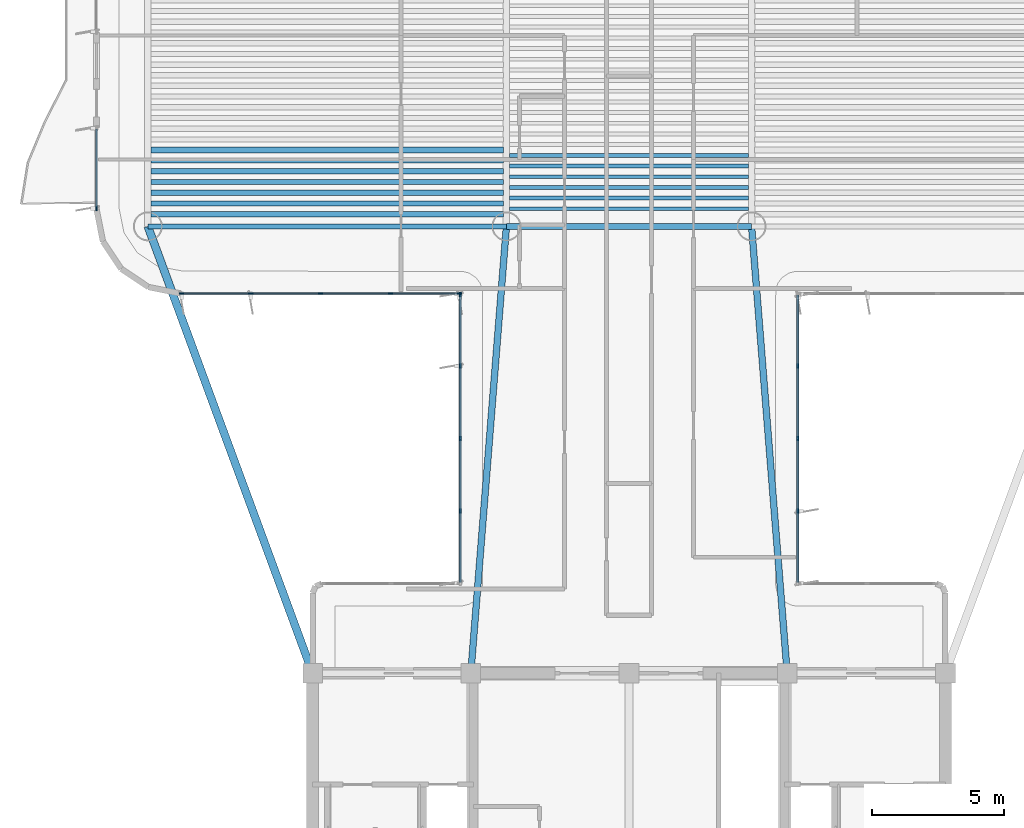
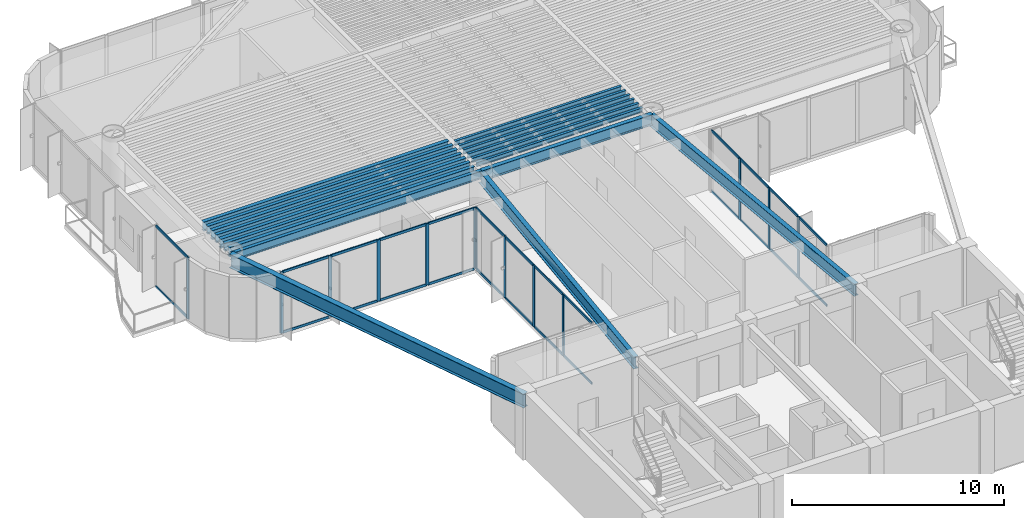
# One storey, part 3 of 14: 39 members, 18 beams, 4 elements without a shape of their own.
"""IFC4 building model written with IfcOpenShell, lengths in metres."""

from ifc_helpers import new_model, si_unit, direction, frame, origin, origin_2d, place, context, subcontext, project, spatial, rectangle, i_section, extrude, source, transform, mapped, material, layer, layer_set, material_profile, profile_set, type_object, element, aggregate, save


model = new_model("IFC4")

# Units and contexts
model_context = context("Model", 3, precision=1e-05, world=origin(), true_north=direction((0.0, 1.0)))
body_context = subcontext(model_context, "Body", "Model", "MODEL_VIEW")
ifc_project = project(units=[si_unit("LENGTHUNIT", "METRE"), si_unit("AREAUNIT", "SQUARE_METRE"), si_unit("VOLUMEUNIT", "CUBIC_METRE"), si_unit("PLANEANGLEUNIT", "RADIAN"), si_unit("MASSUNIT", "GRAM", prefix="KILO")], contexts=[model_context])

# Site, building, storey
site_placement = place(None, origin())
site = spatial("IfcSite", under=ifc_project, at=site_placement, CompositionType="ELEMENT")
building_placement = place(site_placement, origin())
building = spatial("IfcBuilding", under=site, at=building_placement, Name="Brelvock Crest Care Tower", CompositionType="ELEMENT")
storey_placement = place(building_placement, frame((0.0, 0.0, 194.219970703125)))
storey = spatial("IfcBuildingStorey", under=building, at=storey_placement, Name="L49", CompositionType="ELEMENT", Elevation=194.219970703125)

# Beams
ifc_material_1 = material(Name="Steel Grade 350", Category="steel")
ifc_material_profile_1 = material_profile(ifc_material_1, i_section(OverallWidth=0.22900390625, OverallDepth=0.612060546875, WebThickness=0.011962890625, FlangeThickness=0.01953125, FilletRadius=0.013916015625, at=origin_2d()), Name="610UB125")
ifc_profile_set_1 = profile_set([ifc_material_profile_1], Name="Steel Grade 350")
beam_type_1 = type_object("IfcBeamType", Name="BM-G1", PredefinedType="BEAM", material=ifc_profile_set_1)
shared_shape_1 = source(origin(), body_context, "Body", "SweptSolid", [
    extrude(i_section(OverallWidth=0.22900390625, OverallDepth=0.612060546875, WebThickness=0.011962890625, FlangeThickness=0.01953125, FilletRadius=0.013916015625, at=origin_2d()), origin(), (0.0, 0.0, 1.0), 9.2998046875),
])
beam_1_placement = place(storey_placement, frame((31.35009765625, 34.949951171875, 3.22412109375), z_axis=(1.0, 0.0, 0.0), x_axis=(0.0, 1.0, 0.0)))
element("IfcBeam", 1, at=beam_1_placement, inside=storey, type_object=beam_type_1, Name="BM-TWR-L49-05", PredefinedType="BEAM", context=body_context, shape_type="MappedRepresentation", body=[
    mapped(shared_shape_1, transform((0.0, 0.0, 0.0), x_axis=(1.0, 0.0, 0.0), y_axis=(0.0, 1.0, 0.0), z_axis=(0.0, 0.0, 1.0), scale=1.0)),
])
ifc_material_profile_2 = material_profile(ifc_material_1, i_section(OverallWidth=0.14599609375, OverallDepth=0.256103515625, WebThickness=0.00634765625, FlangeThickness=0.010986328125, FilletRadius=0.0087890625, at=origin_2d()), Name="250UB37.3")
ifc_profile_set_2 = profile_set([ifc_material_profile_2], Name="Steel Grade 350")
beam_type_2 = type_object("IfcBeamType", Name="BM-J3", PredefinedType="JOIST", material=ifc_profile_set_2)
shared_shape_2 = source(origin(), body_context, "Body", "SweptSolid", [
    extrude(i_section(OverallWidth=0.14599609375, OverallDepth=0.256103515625, WebThickness=0.00634765625, FlangeThickness=0.010986328125, FilletRadius=0.0087890625, at=origin_2d()), origin(), (0.0, 0.0, 1.0), 9.06982421875),
])
for number, where, z_axis, x_axis, name in (
    (2, (31.465087890625, 35.618896484375, 3.402099609375), (1.0, 0.0, 0.0), (0.0, 1.0, 0.0), "BM-JH-L49-1"),
    (3, (31.465087890625, 36.02392578125, 3.402099609375), (1.0, 0.0, 0.0), (0.0, 1.0, 0.0), "BM-JH-L49-2"),
    (4, (31.465087890625, 36.42919921875, 3.402099609375), (1.0, 0.0, 0.0), (0.0, 1.0, 0.0), "BM-JH-L49-3"),
    (5, (31.465087890625, 36.834228515625, 3.402099609375), (1.0, 0.0, 0.0), (0.0, 1.0, 0.0), "BM-JH-L49-4"),
    (6, (31.465087890625, 37.239501953125, 3.402099609375), (1.0, 0.0, 0.0), (0.0, 1.0, 0.0), "BM-JH-L49-5"),
    (7, (31.465087890625, 37.64453125, 3.402099609375), (1.0, 0.0, 0.0), (0.0, 1.0, 0.0), "BM-JH-L49-6"),
):
    element("IfcBeam", number, at=place(storey_placement, frame(where, z_axis=z_axis, x_axis=x_axis)), inside=storey, type_object=beam_type_2, Name=name, PredefinedType="JOIST", context=body_context, shape_type="MappedRepresentation", body=[
        mapped(shared_shape_2, transform((0.0, 0.0, 0.0), x_axis=(1.0, 0.0, 0.0), y_axis=(0.0, 1.0, 0.0), z_axis=(0.0, 0.0, 1.0), scale=1.0)),
    ])
ifc_material_profile_3 = material_profile(ifc_material_1, i_section(OverallWidth=0.208984375, OverallDepth=0.532958984375, WebThickness=0.01025390625, FlangeThickness=0.015625, FilletRadius=0.013916015625, at=origin_2d()), Name="530UB92.4")
ifc_profile_set_3 = profile_set([ifc_material_profile_3], Name="Steel Grade 350")
beam_type_3 = type_object("IfcBeamType", Name="BM-G2", PredefinedType="BEAM", material=ifc_profile_set_3)
shared_shape_3 = source(origin(), body_context, "Body", "SweptSolid", [
    extrude(i_section(OverallWidth=0.208984375, OverallDepth=0.532958984375, WebThickness=0.01025390625, FlangeThickness=0.015625, FilletRadius=0.013916015625, at=origin_2d()), origin(), (0.0, 0.0, 1.0), 13.3701171875),
])
for number, where, z_axis, x_axis, name in (
    (8, (17.864990234375, 35.416259765625, 3.263427734375), (1.0, 0.0, 0.0), (0.0, 1.0, 0.0), "BM-JW-L49-1"),
    (9, (17.864990234375, 36.2265625, 3.263427734375), (1.0, 0.0, 0.0), (0.0, 1.0, 0.0), "BM-JW-L49-3"),
    (10, (17.864990234375, 37.036865234375, 3.263427734375), (1.0, 0.0, 0.0), (0.0, 1.0, 0.0), "BM-JW-L49-5"),
    (11, (17.864990234375, 37.84716796875, 3.263427734375), (1.0, 0.0, 0.0), (0.0, 1.0, 0.0), "BM-JW-L49-7"),
):
    element("IfcBeam", number, at=place(storey_placement, frame(where, z_axis=z_axis, x_axis=x_axis)), inside=storey, type_object=beam_type_3, Name=name, PredefinedType="BEAM", context=body_context, shape_type="MappedRepresentation", body=[
        mapped(shared_shape_3, transform((0.0, 0.0, 0.0), x_axis=(1.0, 0.0, 0.0), y_axis=(0.0, 1.0, 0.0), z_axis=(0.0, 0.0, 1.0), scale=1.0)),
    ])
ifc_material_profile_4 = material_profile(ifc_material_1, i_section(OverallWidth=0.19091796875, OverallDepth=0.4599609375, WebThickness=0.010009765625, FlangeThickness=0.01611328125, FilletRadius=0.011474609375, at=origin_2d()), Name="460UB82.1")
ifc_profile_set_4 = profile_set([ifc_material_profile_4], Name="Steel Grade 350")
beam_type_4 = type_object("IfcBeamType", Name="BM-G3", PredefinedType="BEAM", material=ifc_profile_set_4)
shared_shape_4 = source(origin(), body_context, "Body", "SweptSolid", [
    extrude(i_section(OverallWidth=0.19091796875, OverallDepth=0.4599609375, WebThickness=0.010009765625, FlangeThickness=0.01611328125, FilletRadius=0.011474609375, at=origin_2d()), origin(), (0.0, 0.0, 1.0), 13.3701171875),
])
for number, where, z_axis, x_axis, name in (
    (12, (17.864990234375, 35.8212890625, 3.300048828125), (1.0, 0.0, 0.0), (0.0, 1.0, 0.0), "BM-JW-L49-2"),
    (13, (17.864990234375, 36.631591796875, 3.300048828125), (1.0, 0.0, 0.0), (0.0, 1.0, 0.0), "BM-JW-L49-4"),
    (14, (17.864990234375, 37.44189453125, 3.300048828125), (1.0, 0.0, 0.0), (0.0, 1.0, 0.0), "BM-JW-L49-6"),
):
    element("IfcBeam", number, at=place(storey_placement, frame(where, z_axis=z_axis, x_axis=x_axis)), inside=storey, type_object=beam_type_4, Name=name, PredefinedType="BEAM", context=body_context, shape_type="MappedRepresentation", body=[
        mapped(shared_shape_4, transform((0.0, 0.0, 0.0), x_axis=(1.0, 0.0, 0.0), y_axis=(0.0, 1.0, 0.0), z_axis=(0.0, 0.0, 1.0), scale=1.0)),
    ])
ifc_material_profile_5 = material_profile(ifc_material_1, i_section(OverallWidth=0.19091796875, OverallDepth=0.4599609375, WebThickness=0.010009765625, FlangeThickness=0.01611328125, FilletRadius=0.011474609375, at=origin_2d()), Name="460UB82.1")
ifc_profile_set_5 = profile_set([ifc_material_profile_5], Name="Steel Grade 350")
beam_type_5 = type_object("IfcBeamType", Name="BM-SP2", PredefinedType="SPANDREL", material=ifc_profile_set_5)
shared_shape_5 = source(origin(), body_context, "Body", "SweptSolid", [
    extrude(i_section(OverallWidth=0.19091796875, OverallDepth=0.4599609375, WebThickness=0.010009765625, FlangeThickness=0.01611328125, FilletRadius=0.011474609375, at=origin_2d()), origin(), (0.0, 0.0, 1.0), 13.60009765625),
])
beam_2_placement = place(storey_placement, frame((17.75, 34.949951171875, 3.300048828125), z_axis=(1.0, 0.0, 0.0), x_axis=(0.0, 1.0, 0.0)))
element("IfcBeam", 15, at=beam_2_placement, inside=storey, type_object=beam_type_5, Name="BM-TWR-L49-03", PredefinedType="SPANDREL", context=body_context, shape_type="MappedRepresentation", body=[
    mapped(shared_shape_5, transform((0.0, 0.0, 0.0), x_axis=(1.0, 0.0, 0.0), y_axis=(0.0, 1.0, 0.0), z_axis=(0.0, 0.0, 1.0), scale=1.0)),
])
ifc_material_profile_6 = material_profile(ifc_material_1, i_section(OverallWidth=0.25, OverallDepth=0.699951171875, WebThickness=0.011962890625, FlangeThickness=0.02001953125, at=origin_2d()), Name="700WB150")
ifc_profile_set_6 = profile_set([ifc_material_profile_6], Name="Steel Grade 350")
beam_type_6 = type_object("IfcBeamType", Name="BM-G4", PredefinedType="BEAM", material=ifc_profile_set_6)
shared_shape_6 = source(origin(), body_context, "Body", "SweptSolid", [
    extrude(i_section(OverallWidth=0.25, OverallDepth=0.699951171875, WebThickness=0.011962890625, FlangeThickness=0.02001953125, at=origin_2d()), origin(), (0.0, 0.0, 1.0), 17.003662109375),
])
for number, where, z_axis, x_axis, name in (
    (16, (30.0, 18.0, 3.179931640625), (0.079400530776, 0.996842793881, 0.0), (-0.996842793881, 0.079400530776, 0.0), "BM-THRW-L49"),
    (17, (42.0, 18.0, 3.179931640625), (-0.079400530776, 0.996842793881, 0.0), (-0.996842793881, -0.079400530776, 0.0), "BM-THRE-L49"),
):
    element("IfcBeam", number, at=place(storey_placement, frame(where, z_axis=z_axis, x_axis=x_axis)), inside=storey, type_object=beam_type_6, Name=name, PredefinedType="BEAM", context=body_context, shape_type="MappedRepresentation", body=[
        mapped(shared_shape_6, transform((0.0, 0.0, 0.0), x_axis=(1.0, 0.0, 0.0), y_axis=(0.0, 1.0, 0.0), z_axis=(0.0, 0.0, 1.0), scale=1.0)),
    ])
ifc_material_profile_7 = material_profile(ifc_material_1, i_section(OverallWidth=0.300048828125, OverallDepth=0.800048828125, WebThickness=0.013916015625, FlangeThickness=0.02197265625, at=origin_2d()), Name="800WB192")
ifc_profile_set_7 = profile_set([ifc_material_profile_7], Name="Steel Grade 350")
beam_type_7 = type_object("IfcBeamType", Name="BM-G5", PredefinedType="BEAM", material=ifc_profile_set_7)
shared_shape_7 = source(origin(), body_context, "Body", "SweptSolid", [
    extrude(i_section(OverallWidth=0.300048828125, OverallDepth=0.800048828125, WebThickness=0.013916015625, FlangeThickness=0.02197265625, at=origin_2d()), origin(), (0.0, 0.0, 1.0), 18.0654296875),
])
beam_3_placement = place(storey_placement, frame((24.0, 18.0, 3.130126953125), z_axis=(-0.345962741309, 0.938248251597, 0.0), x_axis=(-0.938248251597, -0.345962741309, 0.0)))
element("IfcBeam", 18, at=beam_3_placement, inside=storey, type_object=beam_type_7, Name="BM-THRO-W-L49", PredefinedType="BEAM", context=body_context, shape_type="MappedRepresentation", body=[
    mapped(shared_shape_7, transform((0.0, 0.0, 0.0), x_axis=(1.0, 0.0, 0.0), y_axis=(0.0, 1.0, 0.0), z_axis=(0.0, 0.0, 1.0), scale=1.0)),
])

# Curtain wall, members
ifc_material_2 = material(Name="Dark Glass Double Glazed Low-E", Category="glass")
ifc_layer = layer(ifc_material_2, 0.22509765625, Name="CWS-4")
ifc_layer_set = layer_set([ifc_layer], Name="Dark Glass Double Glazed Low-E")
curtain_wall_type = type_object("IfcCurtainWallType", Name="CWS-4", PredefinedType="NOTDEFINED", material=ifc_layer_set)
curtain_wall_1_placement = place(storey_placement, origin())
curtain_wall_1 = element("IfcCurtainWall", 19, at=curtain_wall_1_placement, inside=storey, type_object=curtain_wall_type, Name="L49 Curtain Wall E11", PredefinedType="NOTDEFINED")
ifc_material_3 = material(Name="Aluminium 6063-T6", Category="aluminium")
ifc_material_profile_8 = material_profile(ifc_material_3, rectangle(XDim=0.06005859375, YDim=0.179931640625, at=origin_2d()), Name="ALU60x180")
ifc_profile_set_8 = profile_set([ifc_material_profile_8], Name="Aluminium 6063-T6")
member_type_1 = type_object("IfcMemberType", Name="CWM-2", PredefinedType="MULLION", material=ifc_profile_set_8)
shared_shape_8 = source(origin(), body_context, "Body", "SweptSolid", [
    extrude(rectangle(XDim=0.06005859375, YDim=0.179931640625, at=origin_2d()), origin(), (0.0, 0.0, 1.0), 3.530029296875),
])
member_1_placement = place(storey_placement, frame((29.60009765625, 24.14990234375, 0.0), z_axis=(0.0, 0.0, 1.0), x_axis=(-1.0, 0.0, 0.0)))
member_1 = element("IfcMember", 20, at=member_1_placement, type_object=member_type_1, Name="CW-4 mullion 2", PredefinedType="MULLION", context=body_context, shape_type="MappedRepresentation", body=[
    mapped(shared_shape_8, transform((0.0, 0.0, 0.0), x_axis=(1.0, 0.0, 0.0), y_axis=(0.0, 1.0, 0.0), z_axis=(0.0, 0.0, 1.0), scale=1.0)),
])
member_2_placement = place(storey_placement, frame((29.60009765625, 26.89990234375, 0.0), z_axis=(0.0, 0.0, 1.0), x_axis=(-1.0, 0.0, 0.0)))
member_2 = element("IfcMember", 21, at=member_2_placement, type_object=member_type_1, Name="CW-4 mullion 3", PredefinedType="MULLION", context=body_context, shape_type="MappedRepresentation", body=[
    mapped(shared_shape_8, transform((0.0, 0.0, 0.0), x_axis=(1.0, 0.0, 0.0), y_axis=(0.0, 1.0, 0.0), z_axis=(0.0, 0.0, 1.0), scale=1.0)),
])
member_3_placement = place(storey_placement, frame((29.60009765625, 29.64990234375, 0.0), z_axis=(0.0, 0.0, 1.0), x_axis=(-1.0, 0.0, 0.0)))
member_3 = element("IfcMember", 22, at=member_3_placement, type_object=member_type_1, Name="CW-4 mullion 4", PredefinedType="MULLION", context=body_context, shape_type="MappedRepresentation", body=[
    mapped(shared_shape_8, transform((0.0, 0.0, 0.0), x_axis=(1.0, 0.0, 0.0), y_axis=(0.0, 1.0, 0.0), z_axis=(0.0, 0.0, 1.0), scale=1.0)),
])
member_4_placement = place(storey_placement, frame((29.60009765625, 32.3701171875, 0.0), z_axis=(0.0, 0.0, 1.0), x_axis=(-1.0, 0.0, 0.0)))
member_4 = element("IfcMember", 23, at=member_4_placement, type_object=member_type_1, Name="CW-4 mullion 5", PredefinedType="MULLION", context=body_context, shape_type="MappedRepresentation", body=[
    mapped(shared_shape_8, transform((0.0, 0.0, 0.0), x_axis=(1.0, 0.0, 0.0), y_axis=(0.0, 1.0, 0.0), z_axis=(0.0, 0.0, 1.0), scale=1.0)),
])

curtain_wall_2_placement = place(storey_placement, origin())
curtain_wall_2 = element("IfcCurtainWall", 24, at=curtain_wall_2_placement, inside=storey, type_object=curtain_wall_type, Name="L49 Curtain Wall E12", PredefinedType="NOTDEFINED")
member_5_placement = place(storey_placement, frame((29.570068359375, 32.39990234375, 0.0), z_axis=(0.0, 0.0, 1.0), x_axis=(0.0, -1.0, 0.0)))
member_5 = element("IfcMember", 25, at=member_5_placement, type_object=member_type_1, Name="CW-4 mullion 1", PredefinedType="MULLION", context=body_context, shape_type="MappedRepresentation", body=[
    mapped(shared_shape_8, transform((0.0, 0.0, 0.0), x_axis=(1.0, 0.0, 0.0), y_axis=(0.0, 1.0, 0.0), z_axis=(0.0, 0.0, 1.0), scale=1.0)),
])
member_6_placement = place(storey_placement, frame((26.949951171875, 32.39990234375, 0.0), z_axis=(0.0, 0.0, 1.0), x_axis=(0.0, -1.0, 0.0)))
member_6 = element("IfcMember", 26, at=member_6_placement, type_object=member_type_1, Name="CW-4 mullion 2", PredefinedType="MULLION", context=body_context, shape_type="MappedRepresentation", body=[
    mapped(shared_shape_8, transform((0.0, 0.0, 0.0), x_axis=(1.0, 0.0, 0.0), y_axis=(0.0, 1.0, 0.0), z_axis=(0.0, 0.0, 1.0), scale=1.0)),
])
member_7_placement = place(storey_placement, frame((24.300048828125, 32.39990234375, 0.0), z_axis=(0.0, 0.0, 1.0), x_axis=(0.0, -1.0, 0.0)))
member_7 = element("IfcMember", 27, at=member_7_placement, type_object=member_type_1, Name="CW-4 mullion 3", PredefinedType="MULLION", context=body_context, shape_type="MappedRepresentation", body=[
    mapped(shared_shape_8, transform((0.0, 0.0, 0.0), x_axis=(1.0, 0.0, 0.0), y_axis=(0.0, 1.0, 0.0), z_axis=(0.0, 0.0, 1.0), scale=1.0)),
])
member_8_placement = place(storey_placement, frame((21.64990234375, 32.39990234375, 0.0), z_axis=(0.0, 0.0, 1.0), x_axis=(0.0, -1.0, 0.0)))
member_8 = element("IfcMember", 28, at=member_8_placement, type_object=member_type_1, Name="CW-4 mullion 4", PredefinedType="MULLION", context=body_context, shape_type="MappedRepresentation", body=[
    mapped(shared_shape_8, transform((0.0, 0.0, 0.0), x_axis=(1.0, 0.0, 0.0), y_axis=(0.0, 1.0, 0.0), z_axis=(0.0, 0.0, 1.0), scale=1.0)),
])
member_9_placement = place(storey_placement, frame((19.030029296875, 32.39990234375, 0.0), z_axis=(0.0, 0.0, 1.0), x_axis=(0.0, -1.0, 0.0)))
member_9 = element("IfcMember", 29, at=member_9_placement, type_object=member_type_1, Name="CW-4 mullion 5", PredefinedType="MULLION", context=body_context, shape_type="MappedRepresentation", body=[
    mapped(shared_shape_8, transform((0.0, 0.0, 0.0), x_axis=(1.0, 0.0, 0.0), y_axis=(0.0, 1.0, 0.0), z_axis=(0.0, 0.0, 1.0), scale=1.0)),
])

# Curtain wall, member
curtain_wall_3_placement = place(storey_placement, origin())
curtain_wall_3 = element("IfcCurtainWall", 30, at=curtain_wall_3_placement, inside=storey, type_object=curtain_wall_type, Name="L49 Curtain Wall E17A", PredefinedType="NOTDEFINED")
member_10_placement = place(storey_placement, frame((15.800048828125, 35.6298828125, 0.0), z_axis=(0.0, 0.0, 1.0), x_axis=(-1.0, 0.0, 0.0)))
member_10 = element("IfcMember", 31, at=member_10_placement, type_object=member_type_1, Name="CW-4 mullion 1", PredefinedType="MULLION", context=body_context, shape_type="MappedRepresentation", body=[
    mapped(shared_shape_8, transform((0.0, 0.0, 0.0), x_axis=(1.0, 0.0, 0.0), y_axis=(0.0, 1.0, 0.0), z_axis=(0.0, 0.0, 1.0), scale=1.0)),
])

# Curtain wall, members
curtain_wall_4_placement = place(storey_placement, origin())
curtain_wall_4 = element("IfcCurtainWall", 32, at=curtain_wall_4_placement, inside=storey, type_object=curtain_wall_type, Name="L49 Curtain Wall E45", PredefinedType="NOTDEFINED")
member_11_placement = place(storey_placement, frame((42.39990234375, 29.64990234375, 0.0), z_axis=(0.0, 0.0, 1.0), x_axis=(1.0, 0.0, 0.0)))
member_11 = element("IfcMember", 33, at=member_11_placement, type_object=member_type_1, Name="CW-4 mullion 2", PredefinedType="MULLION", context=body_context, shape_type="MappedRepresentation", body=[
    mapped(shared_shape_8, transform((0.0, 0.0, 0.0), x_axis=(1.0, 0.0, 0.0), y_axis=(0.0, 1.0, 0.0), z_axis=(0.0, 0.0, 1.0), scale=1.0)),
])
member_12_placement = place(storey_placement, frame((42.39990234375, 26.89990234375, 0.0), z_axis=(0.0, 0.0, 1.0), x_axis=(1.0, 0.0, 0.0)))
member_12 = element("IfcMember", 34, at=member_12_placement, type_object=member_type_1, Name="CW-4 mullion 3", PredefinedType="MULLION", context=body_context, shape_type="MappedRepresentation", body=[
    mapped(shared_shape_8, transform((0.0, 0.0, 0.0), x_axis=(1.0, 0.0, 0.0), y_axis=(0.0, 1.0, 0.0), z_axis=(0.0, 0.0, 1.0), scale=1.0)),
])
member_13_placement = place(storey_placement, frame((42.39990234375, 24.14990234375, 0.0), z_axis=(0.0, 0.0, 1.0), x_axis=(1.0, 0.0, 0.0)))
member_13 = element("IfcMember", 35, at=member_13_placement, type_object=member_type_1, Name="CW-4 mullion 4", PredefinedType="MULLION", context=body_context, shape_type="MappedRepresentation", body=[
    mapped(shared_shape_8, transform((0.0, 0.0, 0.0), x_axis=(1.0, 0.0, 0.0), y_axis=(0.0, 1.0, 0.0), z_axis=(0.0, 0.0, 1.0), scale=1.0)),
])

# Member
ifc_material_profile_9 = material_profile(ifc_material_3, rectangle(XDim=0.06005859375, YDim=0.139892578125, at=origin_2d()), Name="ALU60x140")
ifc_profile_set_9 = profile_set([ifc_material_profile_9], Name="Aluminium 6063-T6")
member_type_2 = type_object("IfcMemberType", Name="CWT-2", PredefinedType="USERDEFINED", material=ifc_profile_set_9)
shared_shape_9 = source(origin(), body_context, "Body", "SweptSolid", [
    extrude(rectangle(XDim=0.06005859375, YDim=0.139892578125, at=origin_2d()), origin(), (0.0, 0.0, 1.0), 2.66015625),
])
member_14_placement = place(storey_placement, frame((29.60009765625, 21.4599609375, 0.030029296875), z_axis=(0.0, 1.0, 0.0), x_axis=(-1.0, 0.0, 0.0)))
member_14 = element("IfcMember", 36, at=member_14_placement, type_object=member_type_2, Name="CW-4 transom 1.1", ObjectType="TRANSOM", PredefinedType="USERDEFINED", context=body_context, shape_type="MappedRepresentation", body=[
    mapped(shared_shape_9, transform((0.0, 0.0, 0.0), x_axis=(1.0, 0.0, 0.0), y_axis=(0.0, 1.0, 0.0), z_axis=(0.0, 0.0, 1.0), scale=1.0)),
])

member_15_placement = place(storey_placement, frame((29.60009765625, 21.4599609375, 3.5), z_axis=(0.0, 1.0, 0.0), x_axis=(-1.0, 0.0, 0.0)))
member_15 = element("IfcMember", 37, at=member_15_placement, type_object=member_type_2, Name="CW-4 transom 1.2", ObjectType="TRANSOM", PredefinedType="USERDEFINED", context=body_context, shape_type="MappedRepresentation", body=[
    mapped(shared_shape_9, transform((0.0, 0.0, 0.0), x_axis=(1.0, 0.0, 0.0), y_axis=(0.0, 1.0, 0.0), z_axis=(0.0, 0.0, 1.0), scale=1.0)),
])

member_16_placement = place(storey_placement, frame((29.60009765625, 29.679931640625, 0.030029296875), z_axis=(0.0, 1.0, 0.0), x_axis=(-1.0, 0.0, 0.0)))
member_16 = element("IfcMember", 38, at=member_16_placement, type_object=member_type_2, Name="CW-4 transom 4.1", ObjectType="TRANSOM", PredefinedType="USERDEFINED", context=body_context, shape_type="MappedRepresentation", body=[
    mapped(shared_shape_9, transform((0.0, 0.0, 0.0), x_axis=(1.0, 0.0, 0.0), y_axis=(0.0, 1.0, 0.0), z_axis=(0.0, 0.0, 1.0), scale=1.0)),
])

member_17_placement = place(storey_placement, frame((29.60009765625, 29.679931640625, 3.5), z_axis=(0.0, 1.0, 0.0), x_axis=(-1.0, 0.0, 0.0)))
member_17 = element("IfcMember", 39, at=member_17_placement, type_object=member_type_2, Name="CW-4 transom 4.2", ObjectType="TRANSOM", PredefinedType="USERDEFINED", context=body_context, shape_type="MappedRepresentation", body=[
    mapped(shared_shape_9, transform((0.0, 0.0, 0.0), x_axis=(1.0, 0.0, 0.0), y_axis=(0.0, 1.0, 0.0), z_axis=(0.0, 0.0, 1.0), scale=1.0)),
])

member_18_placement = place(storey_placement, frame((42.39990234375, 32.340087890625, 0.030029296875), z_axis=(0.0, -1.0, 0.0), x_axis=(1.0, 0.0, 0.0)))
member_18 = element("IfcMember", 40, at=member_18_placement, type_object=member_type_2, Name="CW-4 transom 1.1", ObjectType="TRANSOM", PredefinedType="USERDEFINED", context=body_context, shape_type="MappedRepresentation", body=[
    mapped(shared_shape_9, transform((0.0, 0.0, 0.0), x_axis=(1.0, 0.0, 0.0), y_axis=(0.0, 1.0, 0.0), z_axis=(0.0, 0.0, 1.0), scale=1.0)),
])

member_19_placement = place(storey_placement, frame((42.39990234375, 32.340087890625, 3.5), z_axis=(0.0, -1.0, 0.0), x_axis=(1.0, 0.0, 0.0)))
member_19 = element("IfcMember", 41, at=member_19_placement, type_object=member_type_2, Name="CW-4 transom 1.2", ObjectType="TRANSOM", PredefinedType="USERDEFINED", context=body_context, shape_type="MappedRepresentation", body=[
    mapped(shared_shape_9, transform((0.0, 0.0, 0.0), x_axis=(1.0, 0.0, 0.0), y_axis=(0.0, 1.0, 0.0), z_axis=(0.0, 0.0, 1.0), scale=1.0)),
])

member_20_placement = place(storey_placement, frame((42.39990234375, 24.1201171875, 0.030029296875), z_axis=(0.0, -1.0, 0.0), x_axis=(1.0, 0.0, 0.0)))
member_20 = element("IfcMember", 42, at=member_20_placement, type_object=member_type_2, Name="CW-4 transom 4.1", ObjectType="TRANSOM", PredefinedType="USERDEFINED", context=body_context, shape_type="MappedRepresentation", body=[
    mapped(shared_shape_9, transform((0.0, 0.0, 0.0), x_axis=(1.0, 0.0, 0.0), y_axis=(0.0, 1.0, 0.0), z_axis=(0.0, 0.0, 1.0), scale=1.0)),
])

member_21_placement = place(storey_placement, frame((42.39990234375, 24.1201171875, 3.5), z_axis=(0.0, -1.0, 0.0), x_axis=(1.0, 0.0, 0.0)))
member_21 = element("IfcMember", 43, at=member_21_placement, type_object=member_type_2, Name="CW-4 transom 4.2", ObjectType="TRANSOM", PredefinedType="USERDEFINED", context=body_context, shape_type="MappedRepresentation", body=[
    mapped(shared_shape_9, transform((0.0, 0.0, 0.0), x_axis=(1.0, 0.0, 0.0), y_axis=(0.0, 1.0, 0.0), z_axis=(0.0, 0.0, 1.0), scale=1.0)),
])

shared_shape_10 = source(origin(), body_context, "Body", "SweptSolid", [
    extrude(rectangle(XDim=0.06005859375, YDim=0.139892578125, at=origin_2d()), origin(), (0.0, 0.0, 1.0), 2.690185546875),
])
member_22_placement = place(storey_placement, frame((29.60009765625, 24.179931640625, 0.030029296875), z_axis=(0.0, 1.0, 0.0), x_axis=(-1.0, 0.0, 0.0)))
member_22 = element("IfcMember", 44, at=member_22_placement, type_object=member_type_2, Name="CW-4 transom 2.1", ObjectType="TRANSOM", PredefinedType="USERDEFINED", context=body_context, shape_type="MappedRepresentation", body=[
    mapped(shared_shape_10, transform((0.0, 0.0, 0.0), x_axis=(1.0, 0.0, 0.0), y_axis=(0.0, 1.0, 0.0), z_axis=(0.0, 0.0, 1.0), scale=1.0)),
])

member_23_placement = place(storey_placement, frame((29.60009765625, 24.179931640625, 3.5), z_axis=(0.0, 1.0, 0.0), x_axis=(-1.0, 0.0, 0.0)))
member_23 = element("IfcMember", 45, at=member_23_placement, type_object=member_type_2, Name="CW-4 transom 2.2", ObjectType="TRANSOM", PredefinedType="USERDEFINED", context=body_context, shape_type="MappedRepresentation", body=[
    mapped(shared_shape_10, transform((0.0, 0.0, 0.0), x_axis=(1.0, 0.0, 0.0), y_axis=(0.0, 1.0, 0.0), z_axis=(0.0, 0.0, 1.0), scale=1.0)),
])

member_24_placement = place(storey_placement, frame((29.60009765625, 26.929931640625, 0.030029296875), z_axis=(0.0, 1.0, 0.0), x_axis=(-1.0, 0.0, 0.0)))
member_24 = element("IfcMember", 46, at=member_24_placement, type_object=member_type_2, Name="CW-4 transom 3.1", ObjectType="TRANSOM", PredefinedType="USERDEFINED", context=body_context, shape_type="MappedRepresentation", body=[
    mapped(shared_shape_10, transform((0.0, 0.0, 0.0), x_axis=(1.0, 0.0, 0.0), y_axis=(0.0, 1.0, 0.0), z_axis=(0.0, 0.0, 1.0), scale=1.0)),
])

member_25_placement = place(storey_placement, frame((29.60009765625, 26.929931640625, 3.5), z_axis=(0.0, 1.0, 0.0), x_axis=(-1.0, 0.0, 0.0)))
member_25 = element("IfcMember", 47, at=member_25_placement, type_object=member_type_2, Name="CW-4 transom 3.2", ObjectType="TRANSOM", PredefinedType="USERDEFINED", context=body_context, shape_type="MappedRepresentation", body=[
    mapped(shared_shape_10, transform((0.0, 0.0, 0.0), x_axis=(1.0, 0.0, 0.0), y_axis=(0.0, 1.0, 0.0), z_axis=(0.0, 0.0, 1.0), scale=1.0)),
])

aggregate(curtain_wall_1, [member_1, member_2, member_3, member_4, member_14, member_15, member_22, member_23, member_24, member_25, member_16, member_17])

member_26_placement = place(storey_placement, frame((42.39990234375, 29.6201171875, 0.030029296875), z_axis=(0.0, -1.0, 0.0), x_axis=(1.0, 0.0, 0.0)))
member_26 = element("IfcMember", 48, at=member_26_placement, type_object=member_type_2, Name="CW-4 transom 2.1", ObjectType="TRANSOM", PredefinedType="USERDEFINED", context=body_context, shape_type="MappedRepresentation", body=[
    mapped(shared_shape_10, transform((0.0, 0.0, 0.0), x_axis=(1.0, 0.0, 0.0), y_axis=(0.0, 1.0, 0.0), z_axis=(0.0, 0.0, 1.0), scale=1.0)),
])

member_27_placement = place(storey_placement, frame((42.39990234375, 29.6201171875, 3.5), z_axis=(0.0, -1.0, 0.0), x_axis=(1.0, 0.0, 0.0)))
member_27 = element("IfcMember", 49, at=member_27_placement, type_object=member_type_2, Name="CW-4 transom 2.2", ObjectType="TRANSOM", PredefinedType="USERDEFINED", context=body_context, shape_type="MappedRepresentation", body=[
    mapped(shared_shape_10, transform((0.0, 0.0, 0.0), x_axis=(1.0, 0.0, 0.0), y_axis=(0.0, 1.0, 0.0), z_axis=(0.0, 0.0, 1.0), scale=1.0)),
])

member_28_placement = place(storey_placement, frame((42.39990234375, 26.8701171875, 0.030029296875), z_axis=(0.0, -1.0, 0.0), x_axis=(1.0, 0.0, 0.0)))
member_28 = element("IfcMember", 50, at=member_28_placement, type_object=member_type_2, Name="CW-4 transom 3.1", ObjectType="TRANSOM", PredefinedType="USERDEFINED", context=body_context, shape_type="MappedRepresentation", body=[
    mapped(shared_shape_10, transform((0.0, 0.0, 0.0), x_axis=(1.0, 0.0, 0.0), y_axis=(0.0, 1.0, 0.0), z_axis=(0.0, 0.0, 1.0), scale=1.0)),
])

member_29_placement = place(storey_placement, frame((42.39990234375, 26.8701171875, 3.5), z_axis=(0.0, -1.0, 0.0), x_axis=(1.0, 0.0, 0.0)))
member_29 = element("IfcMember", 51, at=member_29_placement, type_object=member_type_2, Name="CW-4 transom 3.2", ObjectType="TRANSOM", PredefinedType="USERDEFINED", context=body_context, shape_type="MappedRepresentation", body=[
    mapped(shared_shape_10, transform((0.0, 0.0, 0.0), x_axis=(1.0, 0.0, 0.0), y_axis=(0.0, 1.0, 0.0), z_axis=(0.0, 0.0, 1.0), scale=1.0)),
])

aggregate(curtain_wall_4, [member_11, member_12, member_13, member_18, member_19, member_26, member_27, member_28, member_29, member_20, member_21])

shared_shape_11 = source(origin(), body_context, "Body", "SweptSolid", [
    extrude(rectangle(XDim=0.06005859375, YDim=0.139892578125, at=origin_2d()), origin(), (0.0, 0.0, 1.0), 2.56005859375),
])
member_30_placement = place(storey_placement, frame((29.5400390625, 32.39990234375, 0.030029296875), z_axis=(-1.0, 0.0, 0.0), x_axis=(0.0, -1.0, 0.0)))
member_30 = element("IfcMember", 52, at=member_30_placement, type_object=member_type_2, Name="CW-4 transom 1.1", ObjectType="TRANSOM", PredefinedType="USERDEFINED", context=body_context, shape_type="MappedRepresentation", body=[
    mapped(shared_shape_11, transform((0.0, 0.0, 0.0), x_axis=(1.0, 0.0, 0.0), y_axis=(0.0, 1.0, 0.0), z_axis=(0.0, 0.0, 1.0), scale=1.0)),
])

member_31_placement = place(storey_placement, frame((29.5400390625, 32.39990234375, 3.5), z_axis=(-1.0, 0.0, 0.0), x_axis=(0.0, -1.0, 0.0)))
member_31 = element("IfcMember", 53, at=member_31_placement, type_object=member_type_2, Name="CW-4 transom 1.2", ObjectType="TRANSOM", PredefinedType="USERDEFINED", context=body_context, shape_type="MappedRepresentation", body=[
    mapped(shared_shape_11, transform((0.0, 0.0, 0.0), x_axis=(1.0, 0.0, 0.0), y_axis=(0.0, 1.0, 0.0), z_axis=(0.0, 0.0, 1.0), scale=1.0)),
])

member_32_placement = place(storey_placement, frame((21.6201171875, 32.39990234375, 0.030029296875), z_axis=(-1.0, 0.0, 0.0), x_axis=(0.0, -1.0, 0.0)))
member_32 = element("IfcMember", 54, at=member_32_placement, type_object=member_type_2, Name="CW-4 transom 4.1", ObjectType="TRANSOM", PredefinedType="USERDEFINED", context=body_context, shape_type="MappedRepresentation", body=[
    mapped(shared_shape_11, transform((0.0, 0.0, 0.0), x_axis=(1.0, 0.0, 0.0), y_axis=(0.0, 1.0, 0.0), z_axis=(0.0, 0.0, 1.0), scale=1.0)),
])

member_33_placement = place(storey_placement, frame((21.6201171875, 32.39990234375, 3.5), z_axis=(-1.0, 0.0, 0.0), x_axis=(0.0, -1.0, 0.0)))
member_33 = element("IfcMember", 55, at=member_33_placement, type_object=member_type_2, Name="CW-4 transom 4.2", ObjectType="TRANSOM", PredefinedType="USERDEFINED", context=body_context, shape_type="MappedRepresentation", body=[
    mapped(shared_shape_11, transform((0.0, 0.0, 0.0), x_axis=(1.0, 0.0, 0.0), y_axis=(0.0, 1.0, 0.0), z_axis=(0.0, 0.0, 1.0), scale=1.0)),
])

shared_shape_12 = source(origin(), body_context, "Body", "SweptSolid", [
    extrude(rectangle(XDim=0.06005859375, YDim=0.139892578125, at=origin_2d()), origin(), (0.0, 0.0, 1.0), 2.58984375),
])
member_34_placement = place(storey_placement, frame((26.919921875, 32.39990234375, 0.030029296875), z_axis=(-1.0, 0.0, 0.0), x_axis=(0.0, -1.0, 0.0)))
member_34 = element("IfcMember", 56, at=member_34_placement, type_object=member_type_2, Name="CW-4 transom 2.1", ObjectType="TRANSOM", PredefinedType="USERDEFINED", context=body_context, shape_type="MappedRepresentation", body=[
    mapped(shared_shape_12, transform((0.0, 0.0, 0.0), x_axis=(1.0, 0.0, 0.0), y_axis=(0.0, 1.0, 0.0), z_axis=(0.0, 0.0, 1.0), scale=1.0)),
])

member_35_placement = place(storey_placement, frame((26.919921875, 32.39990234375, 3.5), z_axis=(-1.0, 0.0, 0.0), x_axis=(0.0, -1.0, 0.0)))
member_35 = element("IfcMember", 57, at=member_35_placement, type_object=member_type_2, Name="CW-4 transom 2.2", ObjectType="TRANSOM", PredefinedType="USERDEFINED", context=body_context, shape_type="MappedRepresentation", body=[
    mapped(shared_shape_12, transform((0.0, 0.0, 0.0), x_axis=(1.0, 0.0, 0.0), y_axis=(0.0, 1.0, 0.0), z_axis=(0.0, 0.0, 1.0), scale=1.0)),
])

shared_shape_13 = source(origin(), body_context, "Body", "SweptSolid", [
    extrude(rectangle(XDim=0.06005859375, YDim=0.139892578125, at=origin_2d()), origin(), (0.0, 0.0, 1.0), 2.590087890625),
])
member_36_placement = place(storey_placement, frame((24.27001953125, 32.39990234375, 0.030029296875), z_axis=(-1.0, 0.0, 0.0), x_axis=(0.0, -1.0, 0.0)))
member_36 = element("IfcMember", 58, at=member_36_placement, type_object=member_type_2, Name="CW-4 transom 3.1", ObjectType="TRANSOM", PredefinedType="USERDEFINED", context=body_context, shape_type="MappedRepresentation", body=[
    mapped(shared_shape_13, transform((0.0, 0.0, 0.0), x_axis=(1.0, 0.0, 0.0), y_axis=(0.0, 1.0, 0.0), z_axis=(0.0, 0.0, 1.0), scale=1.0)),
])

member_37_placement = place(storey_placement, frame((24.27001953125, 32.39990234375, 3.5), z_axis=(-1.0, 0.0, 0.0), x_axis=(0.0, -1.0, 0.0)))
member_37 = element("IfcMember", 59, at=member_37_placement, type_object=member_type_2, Name="CW-4 transom 3.2", ObjectType="TRANSOM", PredefinedType="USERDEFINED", context=body_context, shape_type="MappedRepresentation", body=[
    mapped(shared_shape_13, transform((0.0, 0.0, 0.0), x_axis=(1.0, 0.0, 0.0), y_axis=(0.0, 1.0, 0.0), z_axis=(0.0, 0.0, 1.0), scale=1.0)),
])

aggregate(curtain_wall_2, [member_5, member_6, member_7, member_8, member_9, member_30, member_31, member_34, member_35, member_36, member_37, member_32, member_33])

shared_shape_14 = source(origin(), body_context, "Body", "SweptSolid", [
    extrude(rectangle(XDim=0.06005859375, YDim=0.139892578125, at=origin_2d()), origin(), (0.0, 0.0, 1.0), 2.97998046875),
])
member_38_placement = place(storey_placement, frame((15.800048828125, 35.659912109375, 0.030029296875), z_axis=(0.0, 1.0, 0.0), x_axis=(-1.0, 0.0, 0.0)))
member_38 = element("IfcMember", 60, at=member_38_placement, type_object=member_type_2, Name="CW-4 transom 1.1", ObjectType="TRANSOM", PredefinedType="USERDEFINED", context=body_context, shape_type="MappedRepresentation", body=[
    mapped(shared_shape_14, transform((0.0, 0.0, 0.0), x_axis=(1.0, 0.0, 0.0), y_axis=(0.0, 1.0, 0.0), z_axis=(0.0, 0.0, 1.0), scale=1.0)),
])

member_39_placement = place(storey_placement, frame((15.800048828125, 35.659912109375, 3.5), z_axis=(0.0, 1.0, 0.0), x_axis=(-1.0, 0.0, 0.0)))
member_39 = element("IfcMember", 61, at=member_39_placement, type_object=member_type_2, Name="CW-4 transom 1.2", ObjectType="TRANSOM", PredefinedType="USERDEFINED", context=body_context, shape_type="MappedRepresentation", body=[
    mapped(shared_shape_14, transform((0.0, 0.0, 0.0), x_axis=(1.0, 0.0, 0.0), y_axis=(0.0, 1.0, 0.0), z_axis=(0.0, 0.0, 1.0), scale=1.0)),
])

aggregate(curtain_wall_3, [member_10, member_38, member_39])

save(model, "model.ifc")
